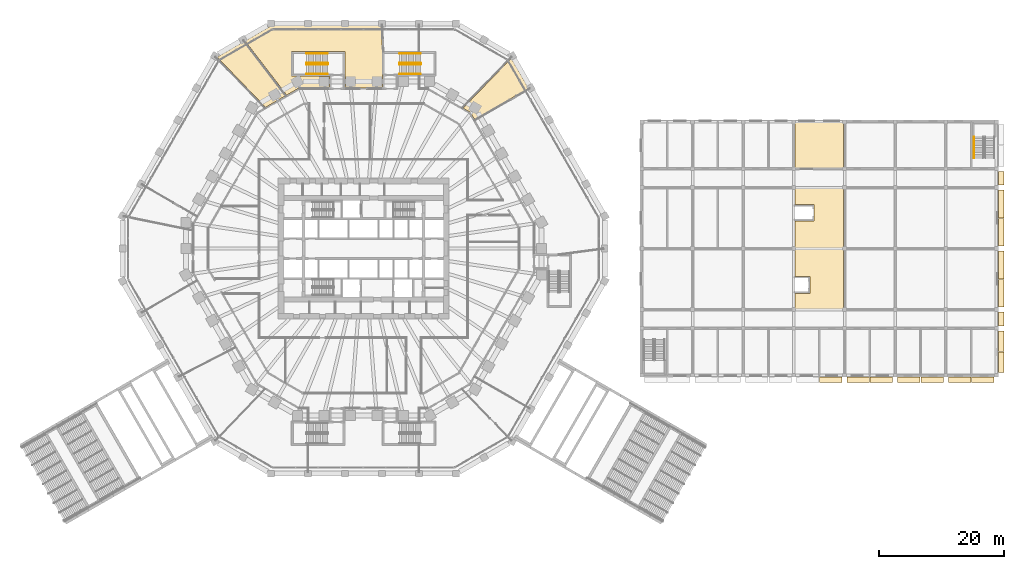
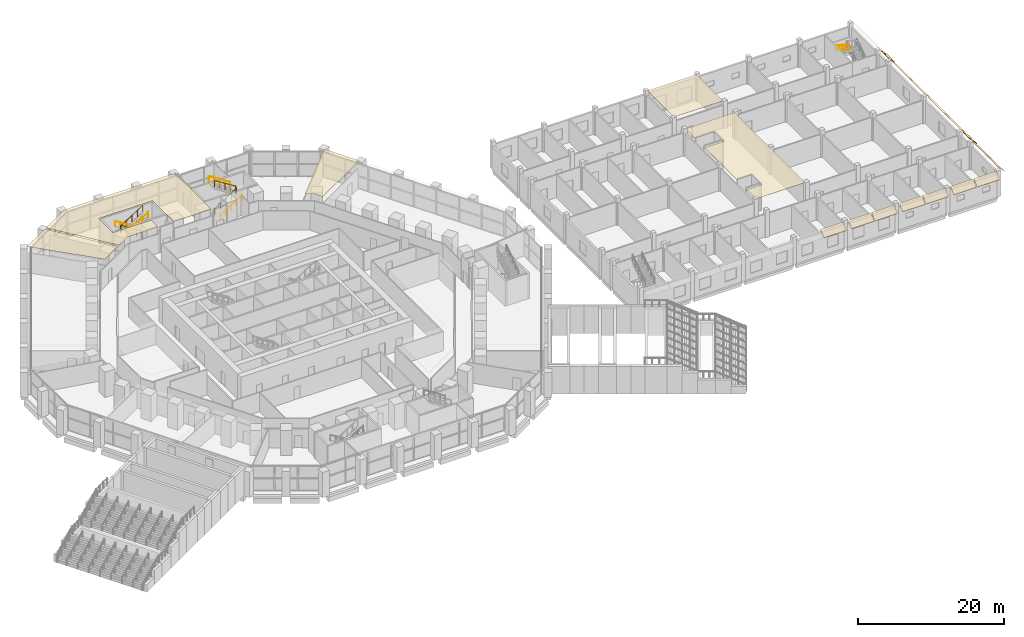
# One storey, part 37 of 38: 20 coverings, 7 railings.
"""IFC4 building model written with IfcOpenShell, lengths in metres."""

from ifc_helpers import new_model, si_unit, direction, frame, origin, origin_2d, place, context, subcontext, project, spatial, polyline, circle, outline, extrude, material, layer, layer_set, type_object, element, save


model = new_model("IFC4")

# Units and contexts
model_context = context("Model", 3, precision=1e-05, world=origin(), true_north=direction((0.0, 1.0)))
body_context = subcontext(model_context, "Body", "Model", "MODEL_VIEW")
ifc_project = project(units=[si_unit("LENGTHUNIT", "METRE"), si_unit("AREAUNIT", "SQUARE_METRE"), si_unit("VOLUMEUNIT", "CUBIC_METRE"), si_unit("PLANEANGLEUNIT", "RADIAN"), si_unit("MASSUNIT", "GRAM", prefix="KILO")], contexts=[model_context])

# Site, building, storey
site_placement = place(None, origin())
site = spatial("IfcSite", under=ifc_project, at=site_placement, CompositionType="ELEMENT")
building_placement = place(site_placement, origin())
building = spatial("IfcBuilding", under=site, at=building_placement, Name="Frailejon Research Tower", CompositionType="ELEMENT")
storey_placement = place(building_placement, frame((0.0, 0.0, 5.60009765625)))
storey = spatial("IfcBuildingStorey", under=building, at=storey_placement, Name="L01", CompositionType="ELEMENT", Elevation=5.60009765625)

# Railing
ifc_material_1 = material(Name="Stainless steel handrail", Category="steel")
railing_type_1 = type_object("IfcRailingType", Name="HC stair handrail", PredefinedType="HANDRAIL", material=ifc_material_1)
railing_1_placement = place(storey_placement, frame((97.60009765625, 17.860107421875, 2.476806640625)))
element("IfcRailing", 1, at=railing_1_placement, inside=storey, type_object=railing_type_1, Name="L01 HS-B stair handrail 2", PredefinedType="HANDRAIL", context=body_context, shape_type="SweptSolid", body=[
    extrude(circle(Radius=0.02392578125, at=origin_2d()), frame((0.0, 0.0, 0.8759765625), z_axis=(0.0, -0.845389635667, 0.534150132366), x_axis=(1.0, 0.0, 0.0)), (0.0, 0.0, 1.0), 3.974609375),
    extrude(circle(Radius=0.02099609375, at=origin_2d()), origin(), (0.0, 0.0, 1.0), 0.851806640625),
    extrude(circle(Radius=0.02099609375, at=origin_2d()), frame((0.0, -0.840087890625, 0.53076171875)), (0.0, 0.0, 1.0), 0.851806640625),
    extrude(circle(Radius=0.02099609375, at=origin_2d()), frame((0.0, -1.68017578125, 1.0615234375)), (0.0, 0.0, 1.0), 0.851806640625),
    extrude(circle(Radius=0.02099609375, at=origin_2d()), frame((0.0, -2.52001953125, 1.59228515625)), (0.0, 0.0, 1.0), 0.851806640625),
    extrude(circle(Radius=0.02099609375, at=origin_2d()), frame((0.0, -3.360107421875, 2.123046875)), (0.0, 0.0, 1.0), 0.851806640625),
])

# Coverings
ifc_material_2 = material(Name="Precast concrete C50/60", Category="concrete")
ifc_layer_1 = layer(ifc_material_2, 0.06005859375)
ifc_layer_set_1 = layer_set([ifc_layer_1], Name="HC visor depth 900")
covering_type_1 = type_object("IfcCoveringType", Name="HC visor depth 900", PredefinedType="CLADDING", material=ifc_layer_set_1)
for number, where, z_axis, x_axis, name in (
    (2, (76.5, -20.550048828125, 4.449951171875), (-1.0, 0.0, 0.0), (0.0, -1.0, 0.0), "HC visor L01"),
    (3, (80.89990234375, -20.550048828125, 4.449951171875), (-1.0, 0.0, 0.0), (0.0, -1.0, 0.0), "HC visor L01"),
    (4, (84.60009765625, -20.550048828125, 4.449951171875), (-1.0, 0.0, 0.0), (0.0, -1.0, 0.0), "HC visor L01"),
    (5, (89.0, -20.550048828125, 4.449951171875), (-1.0, 0.0, 0.0), (0.0, -1.0, 0.0), "HC visor L01"),
    (6, (92.699951171875, -20.550048828125, 4.449951171875), (-1.0, 0.0, 0.0), (0.0, -1.0, 0.0), "HC visor L01"),
    (7, (97.10009765625, -20.550048828125, 4.449951171875), (-1.0, 0.0, 0.0), (0.0, -1.0, 0.0), "HC visor L01"),
    (8, (100.800048828125, -20.550048828125, 4.449951171875), (-1.0, 0.0, 0.0), (0.0, -1.0, 0.0), "HC visor L01"),
):
    element("IfcCovering", number, at=place(storey_placement, frame(where, z_axis=z_axis, x_axis=x_axis)), inside=storey, type_object=covering_type_1, Name=name, PredefinedType="CLADDING", context=body_context, shape_type="SweptSolid", body=[
        extrude(outline(polyline([(0.0, -0.0849609375), (0.89990234375, -0.98486328125), (0.89990234375, -0.89990234375), (0.0, 0.0), (0.0, -0.0849609375)])), origin(), (0.0, 0.0, 1.0), 3.60009765625),
    ])
for number, where, z_axis, x_axis, name in (
    (9, (101.5, -16.550048828125, 4.449951171875), (0.0, -1.0, 0.0), (1.0, 0.0, 0.0), "HC visor L01"),
    (10, (101.5, -13.14990234375, 4.449951171875), (0.0, -1.0, 0.0), (1.0, 0.0, 0.0), "HC visor L01"),
):
    element("IfcCovering", number, at=place(storey_placement, frame(where, z_axis=z_axis, x_axis=x_axis)), inside=storey, type_object=covering_type_1, Name=name, PredefinedType="CLADDING", context=body_context, shape_type="SweptSolid", body=[
        extrude(outline(polyline([(0.0, -0.0849609375), (0.89990234375, -0.98486328125), (0.89990234375, -0.89990234375), (0.0, 0.0), (0.0, -0.0849609375)])), origin(), (0.0, 0.0, 1.0), 3.300048828125),
    ])
covering_1_placement = place(storey_placement, frame((101.5, -10.14990234375, 4.449951171875), z_axis=(0.0, -1.0, 0.0), x_axis=(1.0, 0.0, 0.0)))
element("IfcCovering", 11, at=covering_1_placement, inside=storey, type_object=covering_type_1, Name="HC visor L01", PredefinedType="CLADDING", context=body_context, shape_type="SweptSolid", body=[
    extrude(outline(polyline([(0.0, -0.0849609375), (0.89990234375, -0.98486328125), (0.89990234375, -0.89990234375), (0.0, 0.0), (0.0, -0.0849609375)])), origin(), (0.0, 0.0, 1.0), 2.199951171875),
])
for number, where, z_axis, x_axis, name in (
    (12, (101.5, -4.925048828125, 4.449951171875), (0.0, -1.0, 0.0), (1.0, 0.0, 0.0), "HC visor L01"),
    (13, (101.5, -0.39990234375, 4.449951171875), (0.0, -1.0, 0.0), (1.0, 0.0, 0.0), "HC visor L01"),
    (14, (101.5, 4.824951171875, 4.449951171875), (0.0, -1.0, 0.0), (1.0, 0.0, 0.0), "HC visor L01"),
    (15, (101.5, 9.35009765625, 4.449951171875), (0.0, -1.0, 0.0), (1.0, 0.0, 0.0), "HC visor L01"),
):
    element("IfcCovering", number, at=place(storey_placement, frame(where, z_axis=z_axis, x_axis=x_axis)), inside=storey, type_object=covering_type_1, Name=name, PredefinedType="CLADDING", context=body_context, shape_type="SweptSolid", body=[
        extrude(outline(polyline([(0.0, -0.0849609375), (0.89990234375, -0.98486328125), (0.89990234375, -0.89990234375), (0.0, 0.0), (0.0, -0.0849609375)])), origin(), (0.0, 0.0, 1.0), 4.425048828125),
    ])
covering_2_placement = place(storey_placement, frame((101.5, 12.35009765625, 4.449951171875), z_axis=(0.0, -1.0, 0.0), x_axis=(1.0, 0.0, 0.0)))
element("IfcCovering", 16, at=covering_2_placement, inside=storey, type_object=covering_type_1, Name="HC visor L01", PredefinedType="CLADDING", context=body_context, shape_type="SweptSolid", body=[
    extrude(outline(polyline([(0.0, -0.0849609375), (0.89990234375, -0.98486328125), (0.89990234375, -0.89990234375), (0.0, 0.0), (0.0, -0.0849609375)])), origin(), (0.0, 0.0, 1.0), 2.199951171875),
])

# Railings
ifc_material_3 = material(Name="Stainless steel", Category="steel")
railing_type_2 = type_object("IfcRailingType", Name="Stair guard 1100", PredefinedType="GUARDRAIL", material=ifc_material_3)
railing_2_placement = place(storey_placement, frame((-5.70703125, 29.47509765625, 0.0)))
element("IfcRailing", 17, at=railing_2_placement, inside=storey, type_object=railing_type_2, Name="L01 PS1 stair guard 1", PredefinedType="GUARDRAIL", context=body_context, shape_type="SweptSolid", body=[
    extrude(circle(Radius=0.02392578125, at=origin_2d()), frame((0.0, 0.0, 1.076171875), z_axis=(0.0, 1.0, 0.0), x_axis=(-1.0, 0.0, 0.0)), (0.0, 0.0, 1.0), 0.14990234375),
    extrude(circle(Radius=0.02392578125, at=origin_2d()), frame((0.0, 0.14990234375, 1.076171875), z_axis=(-0.261663861435, 0.262946527422, 0.928650174897), x_axis=(-0.708833529934, -0.705375805398, 0.0)), (0.0, 0.0, 1.0), 0.1904296875),
    extrude(circle(Radius=0.02392578125, at=origin_2d()), frame((-0.0498046875, 0.199951171875, 1.2529296875), z_axis=(-0.845389635667, 0.0, 0.534150132366), x_axis=(0.0, -1.0, 0.0)), (0.0, 0.0, 1.0), 3.974609375),
    extrude(circle(Radius=0.02392578125, at=origin_2d()), frame((-3.409912109375, 0.199951171875, 3.3759765625), z_axis=(-0.707106781187, -0.707106781187, 0.0), x_axis=(0.707106781187, -0.707106781187, 0.0)), (0.0, 0.0, 1.0), 0.07080078125),
    extrude(circle(Radius=0.02392578125, at=origin_2d()), frame((-3.4599609375, 0.14990234375, 3.3759765625), z_axis=(0.0, -1.0, 0.0), x_axis=(1.0, 0.0, 0.0)), (0.0, 0.0, 1.0), 0.14990234375),
    extrude(circle(Radius=0.02392578125, at=origin_2d()), frame((-3.4599609375, 0.0, 3.3759765625), z_axis=(0.262545553595, -0.262545553595, 0.928514762713), x_axis=(0.707106781187, 0.707106781187, 0.0)), (0.0, 0.0, 1.0), 0.190673828125),
    extrude(circle(Radius=0.02392578125, at=origin_2d()), frame((-3.409912109375, -0.050048828125, 3.552734375), z_axis=(0.845389635667, 0.0, 0.534150132366), x_axis=(0.0, 1.0, 0.0)), (0.0, 0.0, 1.0), 3.974609375),
    extrude(circle(Radius=0.02099609375, at=origin_2d()), origin(), (0.0, 0.0, 1.0), 1.052001953125),
    extrude(circle(Radius=0.02099609375, at=origin_2d()), frame((0.0, 0.14990234375, 0.0)), (0.0, 0.0, 1.0), 1.052001953125),
    extrude(circle(Radius=0.02099609375, at=origin_2d()), frame((-0.0498046875, 0.199951171875, 0.1767578125)), (0.0, 0.0, 1.0), 1.052001953125),
    extrude(circle(Radius=0.02099609375, at=origin_2d()), frame((-0.889892578125, 0.199951171875, 0.70751953125)), (0.0, 0.0, 1.0), 1.052001953125),
    extrude(circle(Radius=0.02099609375, at=origin_2d()), frame((-1.72998046875, 0.199951171875, 1.23828125)), (0.0, 0.0, 1.0), 1.052001953125),
    extrude(circle(Radius=0.02099609375, at=origin_2d()), frame((-2.56982421875, 0.199951171875, 1.76904296875)), (0.0, 0.0, 1.0), 1.052001953125),
    extrude(circle(Radius=0.02099609375, at=origin_2d()), frame((-3.409912109375, 0.199951171875, 2.2998046875)), (0.0, 0.0, 1.0), 1.052001953125),
    extrude(circle(Radius=0.02099609375, at=origin_2d()), frame((-3.4599609375, 0.14990234375, 2.2998046875)), (0.0, 0.0, 1.0), 1.052001953125),
    extrude(circle(Radius=0.02099609375, at=origin_2d()), frame((-3.4599609375, 0.0, 2.2998046875)), (0.0, 0.0, 1.0), 1.052001953125),
    extrude(circle(Radius=0.02099609375, at=origin_2d()), frame((-3.409912109375, -0.050048828125, 2.476806640625)), (0.0, 0.0, 1.0), 1.052001953125),
    extrude(circle(Radius=0.02099609375, at=origin_2d()), frame((-2.56982421875, -0.050048828125, 3.007568359375)), (0.0, 0.0, 1.0), 1.052001953125),
    extrude(circle(Radius=0.02099609375, at=origin_2d()), frame((-1.72998046875, -0.050048828125, 3.538330078125)), (0.0, 0.0, 1.0), 1.052001953125),
    extrude(circle(Radius=0.02099609375, at=origin_2d()), frame((-0.889892578125, -0.050048828125, 4.069091796875)), (0.0, 0.0, 1.0), 1.052001953125),
    extrude(circle(Radius=0.02099609375, at=origin_2d()), frame((-0.0498046875, -0.050048828125, 4.599853515625)), (0.0, 0.0, 1.0), 1.052001953125),
])
railing_3_placement = place(storey_placement, frame((5.70703125, 29.625, 0.0)))
element("IfcRailing", 18, at=railing_3_placement, inside=storey, type_object=railing_type_2, Name="L01 PS2 stair guard 1", PredefinedType="GUARDRAIL", context=body_context, shape_type="SweptSolid", body=[
    extrude(circle(Radius=0.02392578125, at=origin_2d()), frame((0.0, 0.0, 1.076171875), z_axis=(0.0, -1.0, 0.0), x_axis=(1.0, 0.0, 0.0)), (0.0, 0.0, 1.0), 0.14990234375),
    extrude(circle(Radius=0.02392578125, at=origin_2d()), frame((0.0, -0.14990234375, 1.076171875), z_axis=(0.261663861435, -0.262946527422, 0.928650174897), x_axis=(0.708833529934, 0.705375805398, 0.0)), (0.0, 0.0, 1.0), 0.1904296875),
    extrude(circle(Radius=0.02392578125, at=origin_2d()), frame((0.0498046875, -0.199951171875, 1.2529296875), z_axis=(0.845389635667, 0.0, 0.534150132366), x_axis=(0.0, 1.0, 0.0)), (0.0, 0.0, 1.0), 3.974609375),
    extrude(circle(Radius=0.02392578125, at=origin_2d()), frame((3.409912109375, -0.199951171875, 3.3759765625), z_axis=(0.707106781187, 0.707106781187, 0.0), x_axis=(-0.707106781187, 0.707106781187, 0.0)), (0.0, 0.0, 1.0), 0.07080078125),
    extrude(circle(Radius=0.02392578125, at=origin_2d()), frame((3.4599609375, -0.14990234375, 3.3759765625), z_axis=(0.0, 1.0, 0.0), x_axis=(-1.0, 0.0, 0.0)), (0.0, 0.0, 1.0), 0.14990234375),
    extrude(circle(Radius=0.02392578125, at=origin_2d()), frame((3.4599609375, 0.0, 3.3759765625), z_axis=(-0.262545553595, 0.262545553595, 0.928514762713), x_axis=(-0.707106781187, -0.707106781187, 0.0)), (0.0, 0.0, 1.0), 0.190673828125),
    extrude(circle(Radius=0.02392578125, at=origin_2d()), frame((3.409912109375, 0.050048828125, 3.552734375), z_axis=(-0.845389635667, 0.0, 0.534150132366), x_axis=(0.0, -1.0, 0.0)), (0.0, 0.0, 1.0), 3.974609375),
    extrude(circle(Radius=0.02099609375, at=origin_2d()), origin(), (0.0, 0.0, 1.0), 1.052001953125),
    extrude(circle(Radius=0.02099609375, at=origin_2d()), frame((0.0, -0.14990234375, 0.0)), (0.0, 0.0, 1.0), 1.052001953125),
    extrude(circle(Radius=0.02099609375, at=origin_2d()), frame((0.0498046875, -0.199951171875, 0.1767578125)), (0.0, 0.0, 1.0), 1.052001953125),
    extrude(circle(Radius=0.02099609375, at=origin_2d()), frame((0.889892578125, -0.199951171875, 0.70751953125)), (0.0, 0.0, 1.0), 1.052001953125),
    extrude(circle(Radius=0.02099609375, at=origin_2d()), frame((1.72998046875, -0.199951171875, 1.23828125)), (0.0, 0.0, 1.0), 1.052001953125),
    extrude(circle(Radius=0.02099609375, at=origin_2d()), frame((2.56982421875, -0.199951171875, 1.76904296875)), (0.0, 0.0, 1.0), 1.052001953125),
    extrude(circle(Radius=0.02099609375, at=origin_2d()), frame((3.409912109375, -0.199951171875, 2.2998046875)), (0.0, 0.0, 1.0), 1.052001953125),
    extrude(circle(Radius=0.02099609375, at=origin_2d()), frame((3.4599609375, -0.14990234375, 2.2998046875)), (0.0, 0.0, 1.0), 1.052001953125),
    extrude(circle(Radius=0.02099609375, at=origin_2d()), frame((3.4599609375, 0.0, 2.2998046875)), (0.0, 0.0, 1.0), 1.052001953125),
    extrude(circle(Radius=0.02099609375, at=origin_2d()), frame((3.409912109375, 0.050048828125, 2.476806640625)), (0.0, 0.0, 1.0), 1.052001953125),
    extrude(circle(Radius=0.02099609375, at=origin_2d()), frame((2.56982421875, 0.050048828125, 3.007568359375)), (0.0, 0.0, 1.0), 1.052001953125),
    extrude(circle(Radius=0.02099609375, at=origin_2d()), frame((1.72998046875, 0.050048828125, 3.538330078125)), (0.0, 0.0, 1.0), 1.052001953125),
    extrude(circle(Radius=0.02099609375, at=origin_2d()), frame((0.889892578125, 0.050048828125, 4.069091796875)), (0.0, 0.0, 1.0), 1.052001953125),
    extrude(circle(Radius=0.02099609375, at=origin_2d()), frame((0.0498046875, 0.050048828125, 4.599853515625)), (0.0, 0.0, 1.0), 1.052001953125),
])
ifc_material_4 = material(Name="Stainless steel", Category="steel")
railing_type_3 = type_object("IfcRailingType", Name="Stair handrail 900", PredefinedType="HANDRAIL", material=ifc_material_4)
railing_4_placement = place(storey_placement, frame((-5.7568359375, 31.175048828125, 0.1767578125)))
element("IfcRailing", 19, at=railing_4_placement, inside=storey, type_object=railing_type_3, Name="L01 PS1 stair handrail 1", PredefinedType="HANDRAIL", context=body_context, shape_type="SweptSolid", body=[
    extrude(circle(Radius=0.02392578125, at=origin_2d()), frame((0.0, 0.0, 0.8759765625), z_axis=(-0.845389635667, 0.0, 0.534150132366), x_axis=(0.0, -1.0, 0.0)), (0.0, 0.0, 1.0), 3.974609375),
    extrude(circle(Radius=0.02099609375, at=origin_2d()), origin(), (0.0, 0.0, 1.0), 0.851806640625),
    extrude(circle(Radius=0.02099609375, at=origin_2d()), frame((-0.840087890625, 0.0, 0.53076171875)), (0.0, 0.0, 1.0), 0.851806640625),
    extrude(circle(Radius=0.02099609375, at=origin_2d()), frame((-1.68017578125, 0.0, 1.0615234375)), (0.0, 0.0, 1.0), 0.851806640625),
    extrude(circle(Radius=0.02099609375, at=origin_2d()), frame((-2.52001953125, 0.0, 1.59228515625)), (0.0, 0.0, 1.0), 0.851806640625),
    extrude(circle(Radius=0.02099609375, at=origin_2d()), frame((-3.360107421875, 0.0, 2.123046875)), (0.0, 0.0, 1.0), 0.851806640625),
])
for number, where, name in (
    (20, (-9.116943359375, 27.925048828125, 2.476806640625), "L01 PS1 stair handrail 2"),
    (21, (5.7568359375, 27.925048828125, 0.1767578125), "L01 PS2 stair handrail 1"),
):
    element("IfcRailing", number, at=place(storey_placement, frame(where)), inside=storey, type_object=railing_type_3, Name=name, PredefinedType="HANDRAIL", context=body_context, shape_type="SweptSolid", body=[
        extrude(circle(Radius=0.02392578125, at=origin_2d()), frame((0.0, 0.0, 0.8759765625), z_axis=(0.845389635667, 0.0, 0.534150132366), x_axis=(0.0, 1.0, 0.0)), (0.0, 0.0, 1.0), 3.974609375),
        extrude(circle(Radius=0.02099609375, at=origin_2d()), origin(), (0.0, 0.0, 1.0), 0.851806640625),
        extrude(circle(Radius=0.02099609375, at=origin_2d()), frame((0.840087890625, 0.0, 0.53076171875)), (0.0, 0.0, 1.0), 0.851806640625),
        extrude(circle(Radius=0.02099609375, at=origin_2d()), frame((1.68017578125, 0.0, 1.0615234375)), (0.0, 0.0, 1.0), 0.851806640625),
        extrude(circle(Radius=0.02099609375, at=origin_2d()), frame((2.52001953125, 0.0, 1.59228515625)), (0.0, 0.0, 1.0), 0.851806640625),
        extrude(circle(Radius=0.02099609375, at=origin_2d()), frame((3.360107421875, 0.0, 2.123046875)), (0.0, 0.0, 1.0), 0.851806640625),
    ])
railing_5_placement = place(storey_placement, frame((9.116943359375, 31.175048828125, 2.476806640625)))
element("IfcRailing", 22, at=railing_5_placement, inside=storey, type_object=railing_type_3, Name="L01 PS2 stair handrail 2", PredefinedType="HANDRAIL", context=body_context, shape_type="SweptSolid", body=[
    extrude(circle(Radius=0.02392578125, at=origin_2d()), frame((0.0, 0.0, 0.8759765625), z_axis=(-0.845389635667, 0.0, 0.534150132366), x_axis=(0.0, -1.0, 0.0)), (0.0, 0.0, 1.0), 3.974609375),
    extrude(circle(Radius=0.02099609375, at=origin_2d()), origin(), (0.0, 0.0, 1.0), 0.851806640625),
    extrude(circle(Radius=0.02099609375, at=origin_2d()), frame((-0.840087890625, 0.0, 0.53076171875)), (0.0, 0.0, 1.0), 0.851806640625),
    extrude(circle(Radius=0.02099609375, at=origin_2d()), frame((-1.68017578125, 0.0, 1.0615234375)), (0.0, 0.0, 1.0), 0.851806640625),
    extrude(circle(Radius=0.02099609375, at=origin_2d()), frame((-2.52001953125, 0.0, 1.59228515625)), (0.0, 0.0, 1.0), 0.851806640625),
    extrude(circle(Radius=0.02099609375, at=origin_2d()), frame((-3.360107421875, 0.0, 2.123046875)), (0.0, 0.0, 1.0), 0.851806640625),
])

# Coverings
ifc_material_5 = material(Name="Mineral fibre ceiling board")
ifc_layer_2 = layer(ifc_material_5, 0.0400390625)
ifc_layer_set_2 = layer_set([ifc_layer_2], Name="Suspended ceiling 40")
covering_type_2 = type_object("IfcCoveringType", Name="Suspended ceiling 40", PredefinedType="CEILING", material=ifc_layer_set_2)
covering_3_placement = place(storey_placement, frame((0.0, 0.0, 4.2099609375)))
element("IfcCovering", 23, at=covering_3_placement, inside=storey, type_object=covering_type_2, Name="Ceiling Seminar room L01-009", PredefinedType="CEILING", context=body_context, shape_type="SweptSolid", body=[
    extrude(outline(polyline([(15.917236328125, 22.4521484375), (17.093505859375, 21.773193359375), (17.742919921875, 20.648681640625), (26.377197265625, 25.633544921875), (23.61181640625, 30.423095703125), (15.917236328125, 22.4521484375)])), origin(), (0.0, 0.0, 1.0), 0.0400390625),
])
covering_4_placement = place(storey_placement, frame((0.0, 0.0, 4.2099609375)))
element("IfcCovering", 24, at=covering_4_placement, inside=storey, type_object=covering_type_2, Name="Ceiling Conference foyer L01-014", PredefinedType="CEILING", context=body_context, shape_type="SweptSolid", body=[
    extrude(outline(polyline([(-5.471923828125, 25.68994140625), (-5.471923828125, 27.610107421875), (-11.5419921875, 27.610107421875), (-11.5419921875, 31.489990234375), (-2.991943359375, 31.489990234375), (-2.991943359375, 25.68994140625), (2.991943359375, 25.68994140625), (2.991943359375, 31.489990234375), (3.03271484375, 31.489990234375), (2.8330078125, 35.659912109375), (-14.693603515625, 35.659912109375), (-18.953369140625, 33.20068359375), (-12.296142578125, 24.54296875), (-10.30908203125, 25.68994140625), (-5.471923828125, 25.68994140625)])), origin(), (0.0, 0.0, 1.0), 0.0400390625),
])
covering_5_placement = place(storey_placement, frame((0.0, 0.0, 4.2099609375)))
element("IfcCovering", 25, at=covering_5_placement, inside=storey, type_object=covering_type_2, Name="Ceiling Seminar room L01-015", PredefinedType="CEILING", context=body_context, shape_type="SweptSolid", body=[
    extrude(outline(polyline([(-15.667236328125, 22.596435546875), (-12.540771484375, 24.401611328125), (-19.19775390625, 33.059326171875), (-23.416259765625, 30.623779296875), (-15.667236328125, 22.596435546875)])), origin(), (0.0, 0.0, 1.0), 0.0400390625),
])
covering_6_placement = place(storey_placement, frame((0.0, 0.0, 4.309814453125)))
element("IfcCovering", 26, at=covering_6_placement, inside=storey, type_object=covering_type_2, Name="Ceiling Lift lobby H118", PredefinedType="CEILING", context=body_context, shape_type="SweptSolid", body=[
    extrude(outline(polyline([(68.949951171875, 7.050048828125), (72.050048828125, 7.050048828125), (72.050048828125, 4.449951171875), (68.949951171875, 4.449951171875), (68.949951171875, -4.449951171875), (71.35009765625, -4.449951171875), (71.35009765625, -7.14990234375), (68.949951171875, -7.14990234375), (68.949951171875, -9.699951171875), (76.75, -9.699951171875), (76.75, 9.699951171875), (68.949951171875, 9.699951171875), (68.949951171875, 7.050048828125)])), origin(), (0.0, 0.0, 1.0), 0.0400390625),
])
covering_7_placement = place(storey_placement, frame((0.0, 0.0, 4.309814453125)))
element("IfcCovering", 27, at=covering_7_placement, inside=storey, type_object=covering_type_2, Name="Ceiling Outpatient waiting area H137", PredefinedType="CEILING", context=body_context, shape_type="SweptSolid", body=[
    extrude(outline(polyline([(76.75, 20.199951171875), (68.949951171875, 20.199951171875), (68.949951171875, 12.89990234375), (76.75, 12.89990234375), (76.75, 20.199951171875)])), origin(), (0.0, 0.0, 1.0), 0.0400390625),
])

save(model, "model.ifc")
